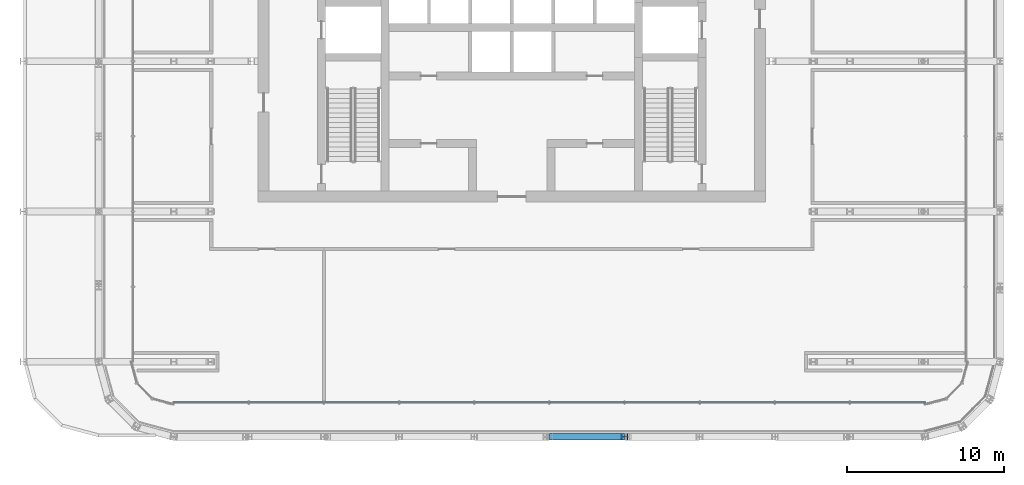
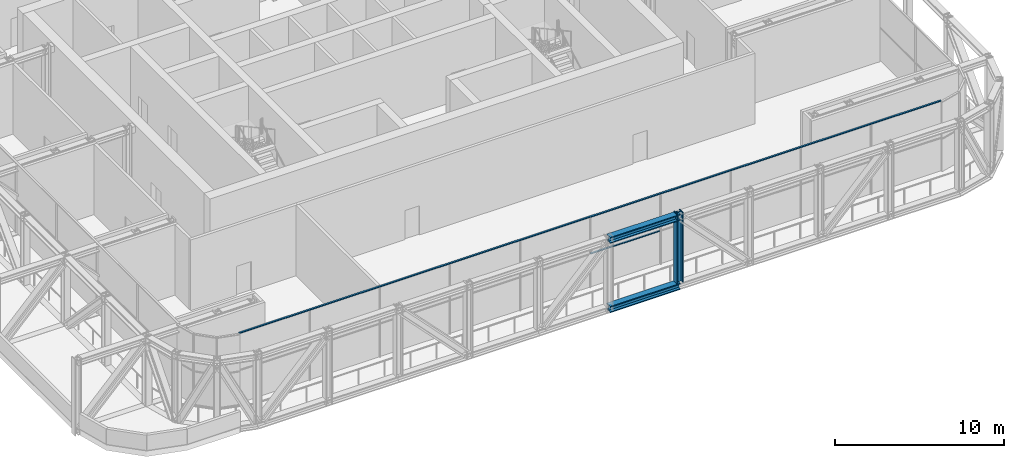
# One storey, part 7 of 30: 5 members, 1 element without a shape of its own.
"""IFC4 building model written with IfcOpenShell, lengths in metres."""

from ifc_helpers import new_model, si_unit, direction, frame, origin, origin_2d, place, context, subcontext, project, spatial, rectangle, i_section, extrude, material, layer, layer_set, material_profile, profile_set, type_object, element, aggregate, save


model = new_model("IFC4")

# Units and contexts
model_context = context("Model", 3, precision=1e-05, world=origin(), true_north=direction((0.0, 1.0)))
body_context = subcontext(model_context, "Body", "Model", "MODEL_VIEW")
ifc_project = project(units=[si_unit("LENGTHUNIT", "METRE"), si_unit("AREAUNIT", "SQUARE_METRE"), si_unit("VOLUMEUNIT", "CUBIC_METRE"), si_unit("PLANEANGLEUNIT", "RADIAN"), si_unit("MASSUNIT", "GRAM", prefix="KILO")], contexts=[model_context])

# Site, building, storey
site_placement = place(None, origin())
site = spatial("IfcSite", under=ifc_project, at=site_placement, CompositionType="ELEMENT")
building_placement = place(site_placement, origin())
building = spatial("IfcBuilding", under=site, at=building_placement, Name="Madar Terraces", CompositionType="ELEMENT")
storey_placement = place(building_placement, frame((0.0, 0.0, 173.5)))
storey = spatial("IfcBuildingStorey", under=building, at=storey_placement, Name="L45", CompositionType="ELEMENT", Elevation=173.5)

# Member
ifc_material_1 = material(Name="Steel ASTM A913 Grade 65", Category="steel")
ifc_material_profile_1 = material_profile(ifc_material_1, i_section(OverallWidth=0.421630859375, OverallDepth=0.46484375, WebThickness=0.044921875, FlangeThickness=0.072509765625, at=origin_2d()), Name="W14x398")
ifc_profile_set_1 = profile_set([ifc_material_profile_1], Name="Steel ASTM A913 Grade 65")
member_type_1 = type_object("IfcMemberType", Name="BC6 W14x398", PredefinedType="CHORD", material=ifc_profile_set_1)
member_1_placement = place(storey_placement, frame((33.60009765625, 0.0, -0.1875), z_axis=(1.0, 0.0, 0.0), x_axis=(0.0, 1.0, 0.0)))
element("IfcMember", 1, at=member_1_placement, inside=storey, type_object=member_type_1, Name="Exoskeleton truss ring bottom chord BC6", PredefinedType="CHORD", context=body_context, shape_type="SweptSolid", body=[
    extrude(i_section(OverallWidth=0.421630859375, OverallDepth=0.46484375, WebThickness=0.044921875, FlangeThickness=0.072509765625, at=origin_2d()), origin(), (0.0, 0.0, 1.0), 4.7998046875),
])

# Curtain wall, members
ifc_material_2 = material(Name="Glass, ceramic frit dark grey, with black aluminium frame", Category="aluminium")
ifc_layer = layer(ifc_material_2, 0.199951171875)
ifc_layer_set = layer_set([ifc_layer], Name="Facade curtain wall, tall glazing")
curtain_wall_type = type_object("IfcCurtainWallType", Name="Facade curtain wall, tall glazing", PredefinedType="NOTDEFINED", material=ifc_layer_set)
curtain_wall_placement = place(storey_placement, origin())
curtain_wall = element("IfcCurtainWall", 2, at=curtain_wall_placement, inside=storey, type_object=curtain_wall_type, Name="Outer skin curtain wall south bay 1", PredefinedType="NOTDEFINED")
ifc_material_3 = material(Name="Aluminium, black anodised", Category="aluminium")
ifc_material_profile_2 = material_profile(ifc_material_3, rectangle(XDim=0.1201171875, YDim=0.06005859375, at=origin_2d()), Name="Facade transom 60x120")
ifc_profile_set_2 = profile_set([ifc_material_profile_2], Name="Aluminium, black anodised")
member_type_2 = type_object("IfcMemberType", Name="Facade transom 60x120", PredefinedType="USERDEFINED", material=ifc_profile_set_2)
member_2_placement = place(storey_placement, frame((9.60009765625, 2.199951171875, 5.070068359375), z_axis=(1.0, 0.0, 0.0), x_axis=(0.0, 1.0, 0.0)))
member_2 = element("IfcMember", 3, at=member_2_placement, type_object=member_type_2, Name="Transom 1", ObjectType="TRANSOM", PredefinedType="USERDEFINED", context=body_context, shape_type="SweptSolid", body=[
    extrude(rectangle(XDim=0.1201171875, YDim=0.06005859375, at=origin_2d()), origin(), (0.0, 0.0, 1.0), 48.0),
])
member_3_placement = place(storey_placement, frame((33.6298828125, 2.199951171875, 2.39990234375), z_axis=(1.0, 0.0, 0.0), x_axis=(0.0, 1.0, 0.0)))
member_3 = element("IfcMember", 4, at=member_3_placement, type_object=member_type_2, Name="Transom 7", ObjectType="TRANSOM", PredefinedType="USERDEFINED", context=body_context, shape_type="SweptSolid", body=[
    extrude(rectangle(XDim=0.1201171875, YDim=0.06005859375, at=origin_2d()), origin(), (0.0, 0.0, 1.0), 4.740234375),
])
aggregate(curtain_wall, [member_2, member_3])

# Members
ifc_material_4 = material(Name="Steel ASTM A913 Grade 65", Category="steel")
ifc_material_profile_3 = material_profile(ifc_material_4, i_section(OverallWidth=0.41650390625, OverallDepth=0.444580078125, WebThickness=0.0390625, FlangeThickness=0.062744140625, at=origin_2d()), Name="W14x342")
ifc_profile_set_3 = profile_set([ifc_material_profile_3], Name="Steel ASTM A913 Grade 65")
member_type_3 = type_object("IfcMemberType", Name="TC6 W14x342", PredefinedType="CHORD", material=ifc_profile_set_3)
member_4_placement = place(storey_placement, frame((33.60009765625, 0.0, 4.807861328125), z_axis=(1.0, 0.0, 0.0), x_axis=(0.0, 1.0, 0.0)))
element("IfcMember", 5, at=member_4_placement, inside=storey, type_object=member_type_3, Name="Exoskeleton truss ring top chord TC6", PredefinedType="CHORD", context=body_context, shape_type="SweptSolid", body=[
    extrude(i_section(OverallWidth=0.41650390625, OverallDepth=0.444580078125, WebThickness=0.0390625, FlangeThickness=0.062744140625, at=origin_2d()), origin(), (0.0, 0.0, 1.0), 4.7998046875),
])
ifc_material_5 = material(Name="Steel ASTM A913 Grade 65", Category="steel")
ifc_material_profile_4 = material_profile(ifc_material_5, i_section(OverallWidth=0.411376953125, OverallDepth=0.434326171875, WebThickness=0.035888671875, FlangeThickness=0.057373046875, at=origin_2d()), Name="W14x311")
ifc_profile_set_4 = profile_set([ifc_material_profile_4], Name="Steel ASTM A913 Grade 65")
member_type_4 = type_object("IfcMemberType", Name="TV6 W14x311", PredefinedType="POST", material=ifc_profile_set_4)
member_5_placement = place(storey_placement, frame((38.39990234375, 0.0, 0.044921875), z_axis=(0.0, 0.0, 1.0), x_axis=(0.0, 1.0, 0.0)))
element("IfcMember", 6, at=member_5_placement, inside=storey, type_object=member_type_4, Name="Exoskeleton truss ring post TV6", PredefinedType="POST", context=body_context, shape_type="SweptSolid", body=[
    extrude(i_section(OverallWidth=0.411376953125, OverallDepth=0.434326171875, WebThickness=0.035888671875, FlangeThickness=0.057373046875, at=origin_2d()), origin(), (0.0, 0.0, 1.0), 5.05517578125),
])

save(model, "model.ifc")
